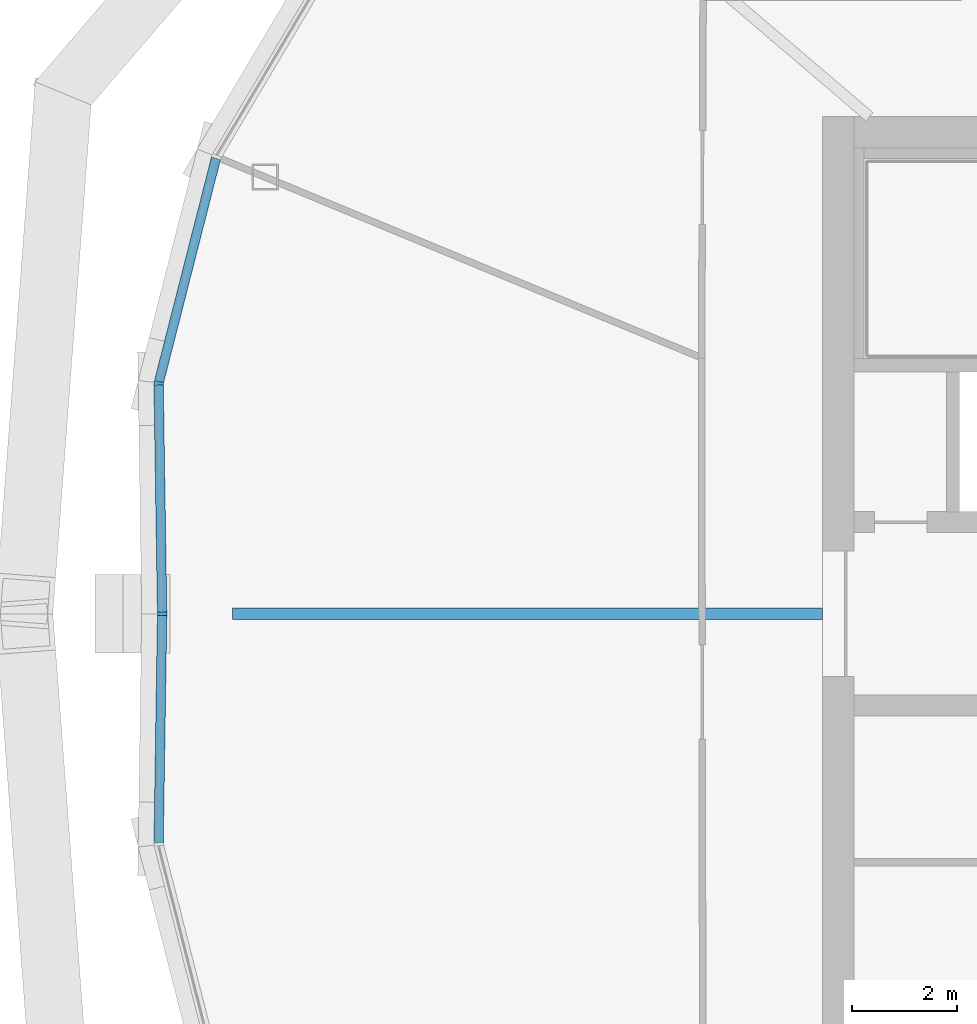
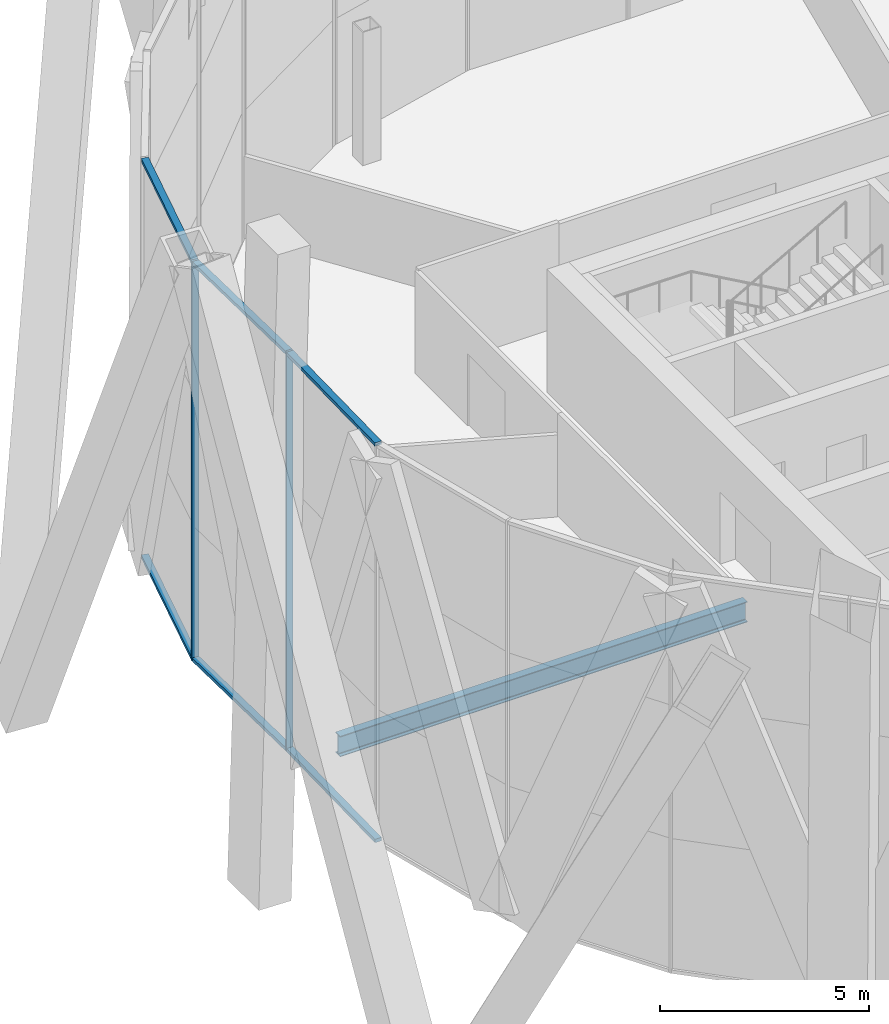
# One storey, part 4 of 23: 8 members, 1 beam, 2 elements without a shape of their own.
"""IFC4 building model written with IfcOpenShell, lengths in metres."""

from ifc_helpers import new_model, si_unit, direction, frame, origin, origin_2d, place, context, subcontext, project, spatial, rectangle, i_section, extrude, material, material_profile, profile_set, type_object, element, aggregate, save


model = new_model("IFC4")

# Units and contexts
model_context = context("Model", 3, precision=1e-05, world=origin(), true_north=direction((0.0, 1.0)))
body_context = subcontext(model_context, "Body", "Model", "MODEL_VIEW")
ifc_project = project(units=[si_unit("LENGTHUNIT", "METRE"), si_unit("AREAUNIT", "SQUARE_METRE"), si_unit("VOLUMEUNIT", "CUBIC_METRE"), si_unit("PLANEANGLEUNIT", "RADIAN"), si_unit("MASSUNIT", "GRAM", prefix="KILO")], contexts=[model_context])

# Site, building, storey
site_placement = place(None, origin())
site = spatial("IfcSite", under=ifc_project, at=site_placement, CompositionType="ELEMENT")
building_placement = place(site_placement, origin())
building = spatial("IfcBuilding", under=site, at=building_placement, Name="Ogive Gate Towers", CompositionType="ELEMENT")
storey_placement = place(building_placement, frame((0.0, 0.0, 165.60009765625)))
storey = spatial("IfcBuildingStorey", under=building, at=storey_placement, Name="L39", CompositionType="ELEMENT", Elevation=165.60009765625)

# Beam
ifc_material_1 = material(Name="Steel SM355", Category="steel")
ifc_material_profile_1 = material_profile(ifc_material_1, i_section(OverallWidth=0.219970703125, OverallDepth=0.60009765625, WebThickness=0.011962890625, FlangeThickness=0.01904296875, FilletRadius=0.02392578125, at=origin_2d()), Name="IPE 600")
ifc_profile_set_1 = profile_set([ifc_material_profile_1], Name="Steel SM355")
beam_type = type_object("IfcBeamType", Name="Radial floor beam IPE 600", PredefinedType="BEAM", material=ifc_profile_set_1)
beam_placement = place(storey_placement, frame((-45.5, 0.0, -0.60009765625), z_axis=(-1.0, 0.0, 0.0), x_axis=(0.0, -1.0, 0.0)))
element("IfcBeam", 1, at=beam_placement, inside=storey, type_object=beam_type, Name="T1/L39/SBM008", PredefinedType="BEAM", context=body_context, shape_type="SweptSolid", body=[
    extrude(i_section(OverallWidth=0.219970703125, OverallDepth=0.60009765625, WebThickness=0.011962890625, FlangeThickness=0.01904296875, FilletRadius=0.02392578125, at=origin_2d()), origin(), (0.0, 0.0, 1.0), 11.278076171875),
])

# Curtain wall, members
ifc_material_2 = material(Name="Pale metal aluminium", Category="aluminium")
curtain_wall_type = type_object("IfcCurtainWallType", Name="Tower unitised wall, high zone", PredefinedType="NOTDEFINED", material=ifc_material_2)
curtain_wall_1_placement = place(storey_placement, origin())
curtain_wall_1 = element("IfcCurtainWall", 2, at=curtain_wall_1_placement, inside=storey, type_object=curtain_wall_type, Name="CW2 T1 ECW04", PredefinedType="NOTDEFINED")
ifc_material_profile_2 = material_profile(ifc_material_2, rectangle(XDim=0.179931640625, YDim=0.06005859375, at=origin_2d()), Name="60 x 180 aluminium box")
ifc_profile_set_2 = profile_set([ifc_material_profile_2], Name="Pale metal aluminium")
member_type_1 = type_object("IfcMemberType", Name="Tower unitised wall, high zone mullion 60 x 180", PredefinedType="MULLION", material=ifc_profile_set_2)
member_1_placement = place(storey_placement, frame((-58.1875, 4.406005859375, -0.300048828125), z_axis=(0.0, 0.0, 1.0), x_axis=(-0.993138030198, 0.116948078113, 0.0)))
member_1 = element("IfcMember", 3, at=member_1_placement, type_object=member_type_1, Name="CW2 mullion", PredefinedType="MULLION", context=body_context, shape_type="SweptSolid", body=[
    extrude(rectangle(XDim=0.179931640625, YDim=0.06005859375, at=origin_2d()), origin(), (0.0, 0.0, 1.0), 11.699951171875),
])
member_2_placement = place(storey_placement, frame((-58.1201171875, 0.000244140625, -0.300048828125), z_axis=(0.0, 0.0, 1.0), x_axis=(-0.99988339091, -0.015271037347, 0.0)))
member_2 = element("IfcMember", 4, at=member_2_placement, type_object=member_type_1, Name="CW2 mullion", PredefinedType="MULLION", context=body_context, shape_type="SweptSolid", body=[
    extrude(rectangle(XDim=0.179931640625, YDim=0.06005859375, at=origin_2d()), origin(), (0.0, 0.0, 1.0), 11.699951171875),
])
ifc_material_profile_3 = material_profile(ifc_material_2, rectangle(XDim=0.179931640625, YDim=0.10009765625, at=origin_2d()), Name="100 x 180 aluminium box")
ifc_profile_set_3 = profile_set([ifc_material_profile_3], Name="Pale metal aluminium")
member_type_2 = type_object("IfcMemberType", Name="Tower unitised wall, high zone transom 100 x 180", PredefinedType="USERDEFINED", material=ifc_profile_set_3)
member_3_placement = place(storey_placement, frame((-57.0908203125, 8.70556640625, 11.349853515625), z_axis=(-0.247106686967, -0.968988279215, 0.0), x_axis=(0.968988279215, -0.247106686967, 0.0)))
member_3 = element("IfcMember", 5, at=member_3_placement, type_object=member_type_2, Name="CW2 transom", ObjectType="TRANSOM", PredefinedType="USERDEFINED", context=body_context, shape_type="SweptSolid", body=[
    extrude(rectangle(XDim=0.179931640625, YDim=0.10009765625, at=origin_2d()), origin(), (0.0, 0.0, 1.0), 4.408447265625),
])
member_4_placement = place(storey_placement, frame((-57.0908203125, 8.70556640625, -0.25), z_axis=(-0.247106686967, -0.968988279215, 0.0), x_axis=(0.968988279215, -0.247106686967, 0.0)))
member_4 = element("IfcMember", 6, at=member_4_placement, type_object=member_type_2, Name="CW2 transom", ObjectType="TRANSOM", PredefinedType="USERDEFINED", context=body_context, shape_type="SweptSolid", body=[
    extrude(rectangle(XDim=0.179931640625, YDim=0.10009765625, at=origin_2d()), origin(), (0.0, 0.0, 1.0), 4.408447265625),
])
member_5_placement = place(storey_placement, frame((-58.186767578125, 4.37744140625, 11.349853515625), z_axis=(0.015216972107, -0.999884215177, 0.0), x_axis=(0.999884215177, 0.015216972107, 0.0)))
member_5 = element("IfcMember", 7, at=member_5_placement, type_object=member_type_2, Name="CW2 transom", ObjectType="TRANSOM", PredefinedType="USERDEFINED", context=body_context, shape_type="SweptSolid", body=[
    extrude(rectangle(XDim=0.179931640625, YDim=0.10009765625, at=origin_2d()), origin(), (0.0, 0.0, 1.0), 4.347900390625),
])
member_6_placement = place(storey_placement, frame((-58.186767578125, 4.37744140625, -0.25), z_axis=(0.015216972107, -0.999884215177, 0.0), x_axis=(0.999884215177, 0.015216972107, 0.0)))
member_6 = element("IfcMember", 8, at=member_6_placement, type_object=member_type_2, Name="CW2 transom", ObjectType="TRANSOM", PredefinedType="USERDEFINED", context=body_context, shape_type="SweptSolid", body=[
    extrude(rectangle(XDim=0.179931640625, YDim=0.10009765625, at=origin_2d()), origin(), (0.0, 0.0, 1.0), 4.347900390625),
])
aggregate(curtain_wall_1, [member_1, member_3, member_4, member_2, member_5, member_6])

curtain_wall_2_placement = place(storey_placement, origin())
curtain_wall_2 = element("IfcCurtainWall", 9, at=curtain_wall_2_placement, inside=storey, type_object=curtain_wall_type, Name="CW2 T1 ECW05", PredefinedType="NOTDEFINED")
member_7_placement = place(storey_placement, frame((-58.12060546875, -0.030029296875, 11.349853515625), z_axis=(-0.015216972107, -0.999884215177, 0.0), x_axis=(0.999884215177, -0.015216972107, 0.0)))
member_7 = element("IfcMember", 10, at=member_7_placement, type_object=member_type_2, Name="CW2 transom", ObjectType="TRANSOM", PredefinedType="USERDEFINED", context=body_context, shape_type="SweptSolid", body=[
    extrude(rectangle(XDim=0.179931640625, YDim=0.10009765625, at=origin_2d()), origin(), (0.0, 0.0, 1.0), 4.347900390625),
])
member_8_placement = place(storey_placement, frame((-58.12060546875, -0.030029296875, -0.25), z_axis=(-0.015216972107, -0.999884215177, 0.0), x_axis=(0.999884215177, -0.015216972107, 0.0)))
member_8 = element("IfcMember", 11, at=member_8_placement, type_object=member_type_2, Name="CW2 transom", ObjectType="TRANSOM", PredefinedType="USERDEFINED", context=body_context, shape_type="SweptSolid", body=[
    extrude(rectangle(XDim=0.179931640625, YDim=0.10009765625, at=origin_2d()), origin(), (0.0, 0.0, 1.0), 4.347900390625),
])
aggregate(curtain_wall_2, [member_7, member_8])

save(model, "model.ifc")
